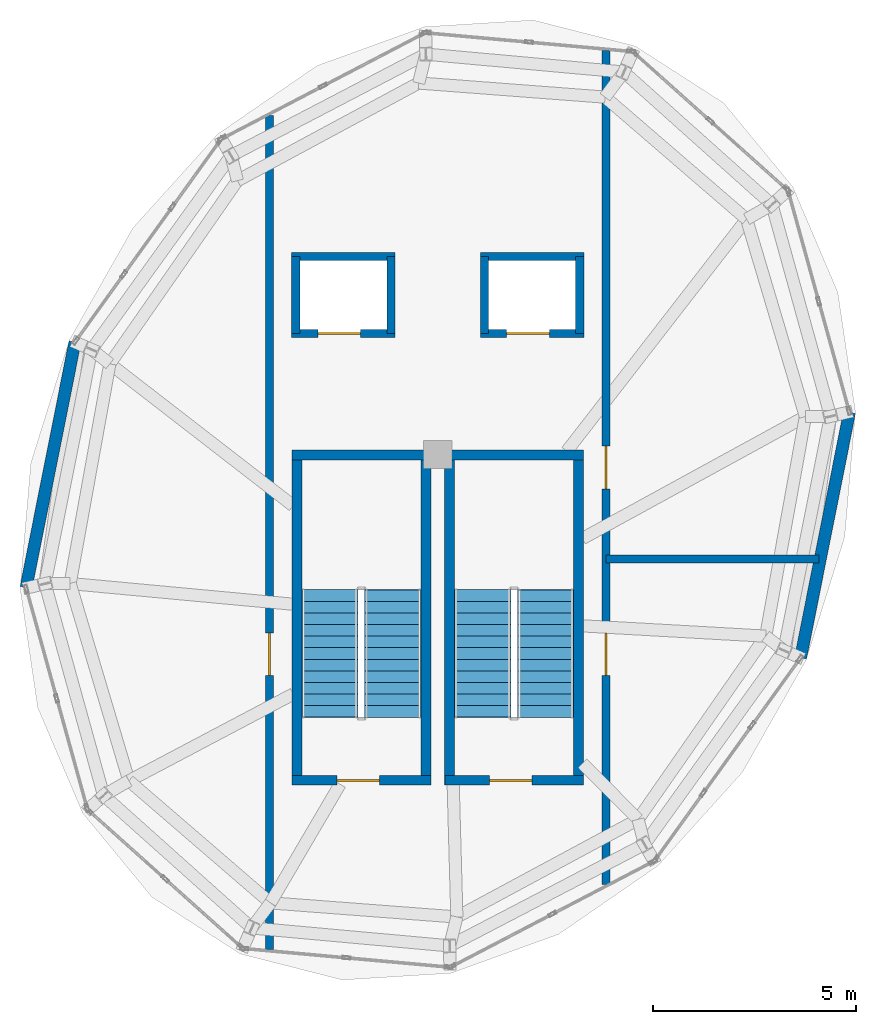
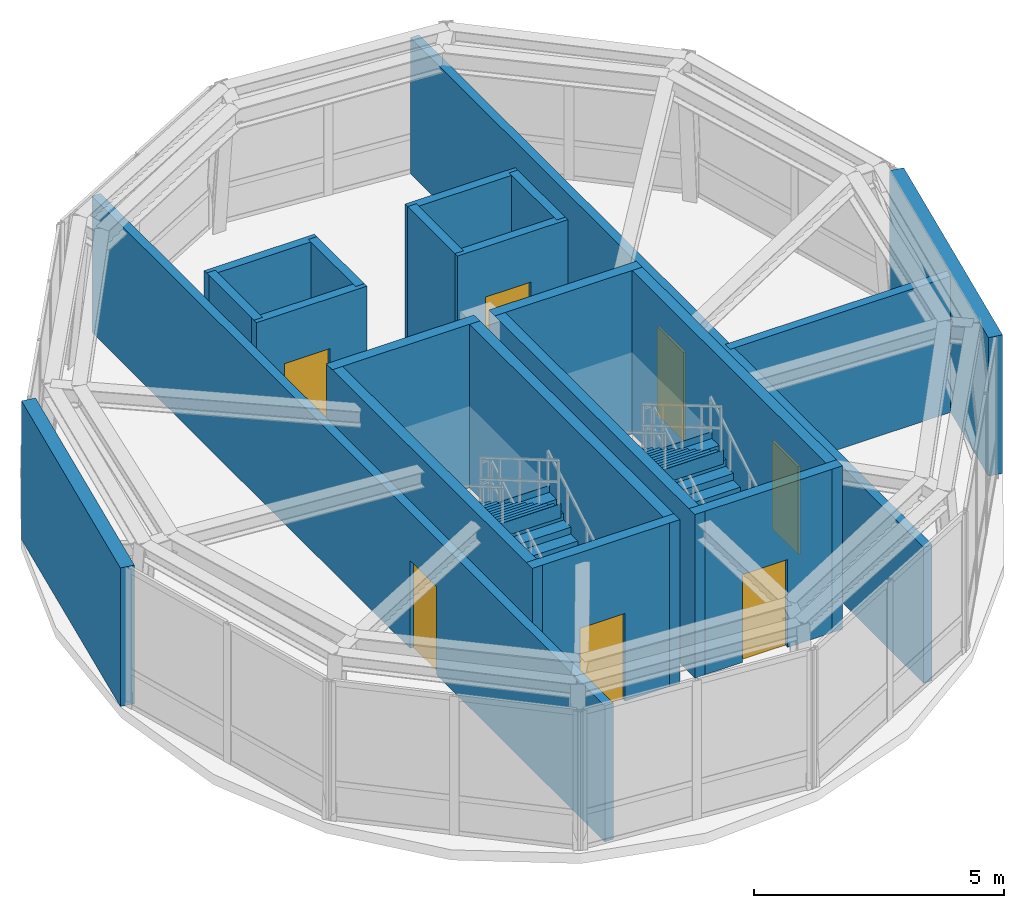
# One storey, part 8 of 9: 21 walls, 7 doors, 4 stair flights, 7 openings, 2 elements without a shape of their own.
"""IFC4 building model written with IfcOpenShell, lengths in metres."""

from ifc_helpers import new_model, si_unit, direction, frame, frame_2d, origin, place, context, subcontext, project, spatial, polyline, rectangle, outline, extrude, material, layer, layer_set, type_object, element, fill, aggregate, save


model = new_model("IFC4")

# Units and contexts
model_context = context("Model", 3, precision=1e-05, world=origin(), true_north=direction((0.0, 1.0)))
body_context = subcontext(model_context, "Body", "Model", "MODEL_VIEW")
ifc_project = project(units=[si_unit("LENGTHUNIT", "METRE"), si_unit("AREAUNIT", "SQUARE_METRE"), si_unit("VOLUMEUNIT", "CUBIC_METRE"), si_unit("PLANEANGLEUNIT", "RADIAN"), si_unit("MASSUNIT", "GRAM", prefix="KILO"), si_unit("THERMODYNAMICTEMPERATUREUNIT", "KELVIN"), si_unit("POWERUNIT", "WATT")], contexts=[model_context])

# Site, building, storey
site_placement = place(None, origin())
site = spatial("IfcSite", under=ifc_project, at=site_placement, CompositionType="ELEMENT")
building_placement = place(site_placement, origin())
building = spatial("IfcBuilding", under=site, at=building_placement, Name="Ocrelia Relay Tower", CompositionType="ELEMENT")
storey_placement = place(building_placement, frame((0.0, 0.0, 304.0)))
storey = spatial("IfcBuildingStorey", under=building, at=storey_placement, Name="L76", CompositionType="ELEMENT", Elevation=304.0)

# Wall, opening, door
ifc_material_1 = material(Name="Concrete C50/60", Category="concrete")
ifc_layer_1 = layer(ifc_material_1, 0.239990234375, Name="Concrete C50/60")
ifc_layer_set_1 = layer_set([ifc_layer_1], Name="Concrete C50/60")
wall_type_1 = type_object("IfcWallType", Name="CW-STAIR-240", PredefinedType="SHEAR", material=ifc_layer_set_1)
wall_1_placement = place(storey_placement, frame((30.412109375, 19.092041015625, 0.0), z_axis=(0.0, 0.0, 1.0), x_axis=(1.0, 0.0, 0.0)))
wall_1 = element("IfcWall", 1, at=wall_1_placement, inside=storey, type_object=wall_type_1, Name="L76 ST4 Structural Shaft S Wall", PredefinedType="SHEAR", context=body_context, shape_type="SweptSolid", body=[
    extrude(rectangle(XDim=3.415771484375, YDim=0.239990234375, at=frame_2d((1.7080078125, 0.0))), origin(), (0.0, 0.0, 1.0), 4.0),
])
opening_1_placement = place(wall_1_placement, frame((1.10009765625, 0.0, 0.0)))
opening_1 = element("IfcOpeningElement", 2, at=opening_1_placement, cuts=wall_1, Name="Opening D-FD90", PredefinedType="OPENING", context=body_context, shape_type="SweptSolid", body=[
    extrude(rectangle(XDim=1.050048828125, YDim=2.14990234375, at=frame_2d((0.52490234375, 1.074951171875))), frame((0.0, 0.1298828125, 0.0), z_axis=(0.0, -1.0, 0.0), x_axis=(1.0, 0.0, 0.0)), (0.0, 0.0, 1.0), 0.260009765625),
])
ifc_material_2 = material(Name="Steel S355 90-min fire door", Category="steel")
door_type_1 = type_object("IfcDoorType", Name="DR-STAIR-FD90-1050", OperationType="NOTDEFINED", PredefinedType="DOOR", material=ifc_material_2)
door_1_placement = place(opening_1_placement, origin())
door_1 = element("IfcDoor", 3, at=door_1_placement, inside=storey, type_object=door_type_1, Name="L76 Crown Stair ST4 Fire Door", OperationType="SINGLE_SWING_RIGHT", OverallHeight=2.14990234375, OverallWidth=1.050048828125, PredefinedType="DOOR", context=body_context, shape_type="SweptSolid", body=[
    extrude(rectangle(XDim=1.050048828125, YDim=2.14990234375, at=frame_2d((0.52490234375, 1.074951171875))), frame((0.0, 0.02490234375, 0.0), z_axis=(0.0, -1.0, 0.0), x_axis=(1.0, 0.0, 0.0)), (0.0, 0.0, 1.0), 0.050048828125),
])
fill(opening_1, door_1)

# Walls
wall_2_placement = place(storey_placement, frame((30.412109375, 27.10791015625, 0.0), z_axis=(0.0, 0.0, 1.0), x_axis=(1.0, 0.0, 0.0)))
element("IfcWall", 4, at=wall_2_placement, inside=storey, type_object=wall_type_1, Name="L76 ST4 Structural Shaft N Wall", PredefinedType="SHEAR", context=body_context, shape_type="SweptSolid", body=[
    extrude(rectangle(XDim=3.415771484375, YDim=0.239990234375, at=frame_2d((1.7080078125, 0.0))), origin(), (0.0, 0.0, 1.0), 4.0),
])
for number, where, z_axis, x_axis, name in (
    (5, (30.531982421875, 18.971923828125, 0.0), (0.0, 0.0, 1.0), (0.0, 1.0, 0.0), "L76 ST4 Structural Shaft W Wall"),
    (6, (33.7080078125, 18.971923828125, 0.0), (0.0, 0.0, 1.0), (0.0, 1.0, 0.0), "L76 ST4 Structural Shaft E Wall"),
):
    element("IfcWall", number, at=place(storey_placement, frame(where, z_axis=z_axis, x_axis=x_axis)), inside=storey, type_object=wall_type_1, Name=name, PredefinedType="SHEAR", context=body_context, shape_type="SweptSolid", body=[
        extrude(rectangle(XDim=8.256103515625, YDim=0.239990234375, at=frame_2d((4.1279296875, 0.0))), origin(), (0.0, 0.0, 1.0), 4.0),
    ])

# Wall, opening, door
wall_3_placement = place(storey_placement, frame((34.172119140625, 19.092041015625, 0.0), z_axis=(0.0, 0.0, 1.0), x_axis=(1.0, 0.0, 0.0)))
wall_3 = element("IfcWall", 7, at=wall_3_placement, inside=storey, type_object=wall_type_1, Name="L76 ST5 Structural Shaft S Wall", PredefinedType="SHEAR", context=body_context, shape_type="SweptSolid", body=[
    extrude(rectangle(XDim=3.415771484375, YDim=0.239990234375, at=frame_2d((1.7080078125, 0.0))), origin(), (0.0, 0.0, 1.0), 4.0),
])
opening_2_placement = place(wall_3_placement, frame((1.10009765625, 0.0, 0.0)))
opening_2 = element("IfcOpeningElement", 8, at=opening_2_placement, cuts=wall_3, Name="Opening D-FD90", PredefinedType="OPENING", context=body_context, shape_type="SweptSolid", body=[
    extrude(rectangle(XDim=1.050048828125, YDim=2.14990234375, at=frame_2d((0.52490234375, 1.074951171875))), frame((0.0, 0.1298828125, 0.0), z_axis=(0.0, -1.0, 0.0), x_axis=(1.0, 0.0, 0.0)), (0.0, 0.0, 1.0), 0.260009765625),
])
door_2_placement = place(opening_2_placement, origin())
door_2 = element("IfcDoor", 9, at=door_2_placement, inside=storey, type_object=door_type_1, Name="L76 Crown Stair ST5 Fire Door", OperationType="SINGLE_SWING_LEFT", OverallHeight=2.14990234375, OverallWidth=1.050048828125, PredefinedType="DOOR", context=body_context, shape_type="SweptSolid", body=[
    extrude(rectangle(XDim=1.050048828125, YDim=2.14990234375, at=frame_2d((0.52490234375, 1.074951171875))), frame((0.0, 0.02490234375, 0.0), z_axis=(0.0, -1.0, 0.0), x_axis=(1.0, 0.0, 0.0)), (0.0, 0.0, 1.0), 0.050048828125),
])
fill(opening_2, door_2)

# Walls
wall_4_placement = place(storey_placement, frame((34.172119140625, 27.10791015625, 0.0), z_axis=(0.0, 0.0, 1.0), x_axis=(1.0, 0.0, 0.0)))
element("IfcWall", 10, at=wall_4_placement, inside=storey, type_object=wall_type_1, Name="L76 ST5 Structural Shaft N Wall", PredefinedType="SHEAR", context=body_context, shape_type="SweptSolid", body=[
    extrude(rectangle(XDim=3.415771484375, YDim=0.239990234375, at=frame_2d((1.7080078125, 0.0))), origin(), (0.0, 0.0, 1.0), 4.0),
])
for number, where, z_axis, x_axis, name in (
    (11, (34.2919921875, 18.971923828125, 0.0), (0.0, 0.0, 1.0), (0.0, 1.0, 0.0), "L76 ST5 Structural Shaft W Wall"),
    (12, (37.468017578125, 18.971923828125, 0.0), (0.0, 0.0, 1.0), (0.0, 1.0, 0.0), "L76 ST5 Structural Shaft E Wall"),
):
    element("IfcWall", number, at=place(storey_placement, frame(where, z_axis=z_axis, x_axis=x_axis)), inside=storey, type_object=wall_type_1, Name=name, PredefinedType="SHEAR", context=body_context, shape_type="SweptSolid", body=[
        extrude(rectangle(XDim=8.256103515625, YDim=0.239990234375, at=frame_2d((4.1279296875, 0.0))), origin(), (0.0, 0.0, 1.0), 4.0),
    ])
ifc_material_3 = material(Name="Precast concrete C40/50 with oxide terracotta", Category="masonry")
ifc_layer_2 = layer(ifc_material_3, 0.300048828125, Name="Precast concrete C40/50 with oxide terracotta")
ifc_layer_set_2 = layer_set([ifc_layer_2], Name="Precast concrete C40/50 with oxide terracotta")
wall_type_2 = type_object("IfcWallType", Name="W-EXT-TERR-300", PredefinedType="SOLIDWALL", material=ifc_layer_set_2)
for number, where, z_axis, x_axis, name in (
    (13, (25.05859375, 29.8876953125, 0.0), (0.0, 0.0, 1.0), (-0.195392597273, -0.98072510569, 0.0), "L76 Crown Braced Terracotta Spine Wall 04"),
    (14, (42.94140625, 22.1123046875, 0.0), (0.0, 0.0, 1.0), (0.195392597273, 0.98072510569, 0.0), "L76 Crown Braced Terracotta Spine Wall 10"),
):
    element("IfcWall", number, at=place(storey_placement, frame(where, z_axis=z_axis, x_axis=x_axis)), inside=storey, type_object=wall_type_2, Name=name, PredefinedType="SOLIDWALL", context=body_context, shape_type="SweptSolid", body=[
        extrude(rectangle(XDim=6.1650390625, YDim=0.300048828125, at=frame_2d((3.08251953125, 0.0))), origin(), (0.0, 0.0, 1.0), 3.389892578125),
    ])

# Wall, opening, door
ifc_layer_3 = layer(ifc_material_1, 0.199951171875, Name="Concrete C50/60")
ifc_layer_set_3 = layer_set([ifc_layer_3], Name="Concrete C50/60")
wall_type_3 = type_object("IfcWallType", Name="W-SHAFT-EI120-200", PredefinedType="SOLIDWALL", material=ifc_layer_set_3)
wall_5_placement = place(storey_placement, frame((30.39990234375, 30.10009765625, 0.0), z_axis=(0.0, 0.0, 1.0), x_axis=(1.0, 0.0, 0.0)))
wall_5 = element("IfcWall", 15, at=wall_5_placement, inside=storey, type_object=wall_type_3, Name="L76 FFL1 South Wall", PredefinedType="SOLIDWALL", context=body_context, shape_type="SweptSolid", body=[
    extrude(rectangle(XDim=2.550048828125, YDim=0.199951171875, at=frame_2d((1.27490234375, 0.0))), origin(), (0.0, 0.0, 1.0), 3.330078125),
])
opening_3_placement = place(wall_5_placement, frame((0.64990234375, 0.0, 0.0)))
opening_3 = element("IfcOpeningElement", 16, at=opening_3_placement, cuts=wall_5, Name="Opening LD-FFL1", PredefinedType="OPENING", context=body_context, shape_type="SweptSolid", body=[
    extrude(rectangle(XDim=1.050048828125, YDim=2.10009765625, at=frame_2d((0.52490234375, 1.050048828125))), frame((0.0, 0.10986328125, 0.0), z_axis=(0.0, -1.0, 0.0), x_axis=(1.0, 0.0, 0.0)), (0.0, 0.0, 1.0), 0.219970703125),
])
ifc_material_4 = material(Name="Brushed stainless steel S355 lift landing door", Category="steel")
door_type_2 = type_object("IfcDoorType", Name="DR-LIFT-LAND-1050", OperationType="DOUBLE_DOOR_SLIDING", PredefinedType="USERDEFINED", material=ifc_material_4)
door_3_placement = place(opening_3_placement, origin())
door_3 = element("IfcDoor", 17, at=door_3_placement, inside=storey, type_object=door_type_2, Name="L76 FFL1 Sliding Landing Door", ObjectType="LANDING DOOR", OperationType="DOUBLE_DOOR_SLIDING", OverallHeight=2.10009765625, OverallWidth=1.050048828125, PredefinedType="USERDEFINED", context=body_context, shape_type="SweptSolid", body=[
    extrude(rectangle(XDim=1.050048828125, YDim=2.10009765625, at=frame_2d((0.52490234375, 1.050048828125))), frame((0.0, 0.02490234375, 0.0), z_axis=(0.0, -1.0, 0.0), x_axis=(1.0, 0.0, 0.0)), (0.0, 0.0, 1.0), 0.050048828125),
])
fill(opening_3, door_3)

# Walls
wall_6_placement = place(storey_placement, frame((30.39990234375, 32.0, 0.0), z_axis=(0.0, 0.0, 1.0), x_axis=(1.0, 0.0, 0.0)))
element("IfcWall", 18, at=wall_6_placement, inside=storey, type_object=wall_type_3, Name="L76 FFL1 N Wall", PredefinedType="SOLIDWALL", context=body_context, shape_type="SweptSolid", body=[
    extrude(rectangle(XDim=2.550048828125, YDim=0.199951171875, at=frame_2d((1.27490234375, 0.0))), origin(), (0.0, 0.0, 1.0), 3.330078125),
])
for number, where, z_axis, x_axis, name in (
    (19, (30.5, 30.10009765625, 0.0), (0.0, 0.0, 1.0), (0.0, 1.0, 0.0), "L76 FFL1 W Wall"),
    (20, (32.85009765625, 30.10009765625, 0.0), (0.0, 0.0, 1.0), (0.0, 1.0, 0.0), "L76 FFL1 E Wall"),
):
    element("IfcWall", number, at=place(storey_placement, frame(where, z_axis=z_axis, x_axis=x_axis)), inside=storey, type_object=wall_type_3, Name=name, PredefinedType="SOLIDWALL", context=body_context, shape_type="SweptSolid", body=[
        extrude(rectangle(XDim=1.89990234375, YDim=0.199951171875, at=frame_2d((0.949951171875, 0.0))), origin(), (0.0, 0.0, 1.0), 3.330078125),
    ])

# Wall, opening, door
wall_7_placement = place(storey_placement, frame((35.050048828125, 30.10009765625, 0.0), z_axis=(0.0, 0.0, 1.0), x_axis=(1.0, 0.0, 0.0)))
wall_7 = element("IfcWall", 21, at=wall_7_placement, inside=storey, type_object=wall_type_3, Name="L76 FFL2 South Wall", PredefinedType="SOLIDWALL", context=body_context, shape_type="SweptSolid", body=[
    extrude(rectangle(XDim=2.550048828125, YDim=0.199951171875, at=frame_2d((1.27490234375, 0.0))), origin(), (0.0, 0.0, 1.0), 3.330078125),
])
opening_4_placement = place(wall_7_placement, frame((0.64990234375, 0.0, 0.0)))
opening_4 = element("IfcOpeningElement", 22, at=opening_4_placement, cuts=wall_7, Name="Opening LD-FFL2", PredefinedType="OPENING", context=body_context, shape_type="SweptSolid", body=[
    extrude(rectangle(XDim=1.050048828125, YDim=2.10009765625, at=frame_2d((0.52490234375, 1.050048828125))), frame((0.0, 0.10986328125, 0.0), z_axis=(0.0, -1.0, 0.0), x_axis=(1.0, 0.0, 0.0)), (0.0, 0.0, 1.0), 0.219970703125),
])
door_4_placement = place(opening_4_placement, origin())
door_4 = element("IfcDoor", 23, at=door_4_placement, inside=storey, type_object=door_type_2, Name="L76 FFL2 Sliding Landing Door", ObjectType="LANDING DOOR", OperationType="DOUBLE_DOOR_SLIDING", OverallHeight=2.10009765625, OverallWidth=1.050048828125, PredefinedType="USERDEFINED", context=body_context, shape_type="SweptSolid", body=[
    extrude(rectangle(XDim=1.050048828125, YDim=2.10009765625, at=frame_2d((0.52490234375, 1.050048828125))), frame((0.0, 0.02490234375, 0.0), z_axis=(0.0, -1.0, 0.0), x_axis=(1.0, 0.0, 0.0)), (0.0, 0.0, 1.0), 0.050048828125),
])
fill(opening_4, door_4)

# Walls
wall_8_placement = place(storey_placement, frame((35.050048828125, 32.0, 0.0), z_axis=(0.0, 0.0, 1.0), x_axis=(1.0, 0.0, 0.0)))
element("IfcWall", 24, at=wall_8_placement, inside=storey, type_object=wall_type_3, Name="L76 FFL2 N Wall", PredefinedType="SOLIDWALL", context=body_context, shape_type="SweptSolid", body=[
    extrude(rectangle(XDim=2.550048828125, YDim=0.199951171875, at=frame_2d((1.27490234375, 0.0))), origin(), (0.0, 0.0, 1.0), 3.330078125),
])
for number, where, z_axis, x_axis, name in (
    (25, (35.14990234375, 30.10009765625, 0.0), (0.0, 0.0, 1.0), (0.0, 1.0, 0.0), "L76 FFL2 W Wall"),
    (26, (37.5, 30.10009765625, 0.0), (0.0, 0.0, 1.0), (0.0, 1.0, 0.0), "L76 FFL2 E Wall"),
):
    element("IfcWall", number, at=place(storey_placement, frame(where, z_axis=z_axis, x_axis=x_axis)), inside=storey, type_object=wall_type_3, Name=name, PredefinedType="SOLIDWALL", context=body_context, shape_type="SweptSolid", body=[
        extrude(rectangle(XDim=1.89990234375, YDim=0.199951171875, at=frame_2d((0.949951171875, 0.0))), origin(), (0.0, 0.0, 1.0), 3.330078125),
    ])

# Wall, opening, door
wall_9_placement = place(storey_placement, frame((29.85009765625, 14.918701171875, 0.0), z_axis=(0.0, 0.0, 1.0), x_axis=(0.0, 1.0, 0.0)))
wall_9 = element("IfcWall", 27, at=wall_9_placement, inside=storey, type_object=wall_type_3, Name="L76 Crown Lobby West Wall", PredefinedType="SOLIDWALL", context=body_context, shape_type="SweptSolid", body=[
    extrude(rectangle(XDim=20.56103515625, YDim=0.199951171875, at=frame_2d((10.280517578125, 0.0))), origin(), (0.0, 0.0, 1.0), 3.330078125),
])
opening_5_placement = place(wall_9_placement, frame((6.756103515625, 0.0, 0.0)))
opening_5 = element("IfcOpeningElement", 28, at=opening_5_placement, cuts=wall_9, Name="Opening D-FD90", PredefinedType="OPENING", context=body_context, shape_type="SweptSolid", body=[
    extrude(rectangle(XDim=1.050048828125, YDim=2.14990234375, at=frame_2d((0.52490234375, 1.074951171875))), frame((0.0, 0.10986328125, 0.0), z_axis=(0.0, -1.0, 0.0), x_axis=(1.0, 0.0, 0.0)), (0.0, 0.0, 1.0), 0.219970703125),
])
door_5_placement = place(opening_5_placement, origin())
door_5 = element("IfcDoor", 29, at=door_5_placement, inside=storey, type_object=door_type_1, Name="L76 West Chiller Plant Door", OperationType="SINGLE_SWING_RIGHT", OverallHeight=2.14990234375, OverallWidth=1.050048828125, PredefinedType="DOOR", context=body_context, shape_type="SweptSolid", body=[
    extrude(rectangle(XDim=1.050048828125, YDim=2.14990234375, at=frame_2d((0.52490234375, 1.074951171875))), frame((0.0, 0.02490234375, 0.0), z_axis=(0.0, -1.0, 0.0), x_axis=(1.0, 0.0, 0.0)), (0.0, 0.0, 1.0), 0.050048828125),
])
fill(opening_5, door_5)

# Wall, openings, doors
wall_10_placement = place(storey_placement, frame((38.14990234375, 16.520263671875, 0.0), z_axis=(0.0, 0.0, 1.0), x_axis=(0.0, 1.0, 0.0)))
wall_10 = element("IfcWall", 30, at=wall_10_placement, inside=storey, type_object=wall_type_3, Name="L76 Crown Lobby East Wall", PredefinedType="SOLIDWALL", context=body_context, shape_type="SweptSolid", body=[
    extrude(rectangle(XDim=20.56103515625, YDim=0.199951171875, at=frame_2d((10.280517578125, 0.0))), origin(), (0.0, 0.0, 1.0), 3.330078125),
])
opening_6_placement = place(wall_10_placement, frame((5.15478515625, 0.0, 0.0)))
opening_6 = element("IfcOpeningElement", 31, at=opening_6_placement, cuts=wall_10, Name="Opening D-FD90", PredefinedType="OPENING", context=body_context, shape_type="SweptSolid", body=[
    extrude(rectangle(XDim=1.050048828125, YDim=2.14990234375, at=frame_2d((0.52490234375, 1.074951171875))), frame((0.0, 0.10986328125, 0.0), z_axis=(0.0, -1.0, 0.0), x_axis=(1.0, 0.0, 0.0)), (0.0, 0.0, 1.0), 0.219970703125),
])
opening_7_placement = place(wall_10_placement, frame((9.7548828125, 0.0, 0.0)))
opening_7 = element("IfcOpeningElement", 32, at=opening_7_placement, cuts=wall_10, Name="Opening D-FD90", PredefinedType="OPENING", context=body_context, shape_type="SweptSolid", body=[
    extrude(rectangle(XDim=1.050048828125, YDim=2.14990234375, at=frame_2d((0.52490234375, 1.074951171875))), frame((0.0, 0.10986328125, 0.0), z_axis=(0.0, -1.0, 0.0), x_axis=(1.0, 0.0, 0.0)), (0.0, 0.0, 1.0), 0.219970703125),
])
door_6_placement = place(opening_6_placement, origin())
door_6 = element("IfcDoor", 33, at=door_6_placement, inside=storey, type_object=door_type_1, Name="L76 East Switchgear Plant Door", OperationType="SINGLE_SWING_LEFT", OverallHeight=2.14990234375, OverallWidth=1.050048828125, PredefinedType="DOOR", context=body_context, shape_type="SweptSolid", body=[
    extrude(rectangle(XDim=1.050048828125, YDim=2.14990234375, at=frame_2d((0.52490234375, 1.074951171875))), frame((0.0, 0.02490234375, 0.0), z_axis=(0.0, -1.0, 0.0), x_axis=(1.0, 0.0, 0.0)), (0.0, 0.0, 1.0), 0.050048828125),
])
fill(opening_6, door_6)
door_7_placement = place(opening_7_placement, origin())
door_7 = element("IfcDoor", 34, at=door_7_placement, inside=storey, type_object=door_type_1, Name="L76 Waveguide Pressurisation Plant Door", OperationType="SINGLE_SWING_RIGHT", OverallHeight=2.14990234375, OverallWidth=1.050048828125, PredefinedType="DOOR", context=body_context, shape_type="SweptSolid", body=[
    extrude(rectangle(XDim=1.050048828125, YDim=2.14990234375, at=frame_2d((0.52490234375, 1.074951171875))), frame((0.0, 0.02490234375, 0.0), z_axis=(0.0, -1.0, 0.0), x_axis=(1.0, 0.0, 0.0)), (0.0, 0.0, 1.0), 0.050048828125),
])
fill(opening_7, door_7)

# Wall
wall_11_placement = place(storey_placement, frame((38.14990234375, 24.550048828125, 0.0), z_axis=(0.0, 0.0, 1.0), x_axis=(1.0, 0.0, 0.0)))
element("IfcWall", 35, at=wall_11_placement, inside=storey, type_object=wall_type_3, Name="L76 East Waveguide Plant Partition", PredefinedType="SOLIDWALL", context=body_context, shape_type="SweptSolid", body=[
    extrude(rectangle(XDim=5.24755859375, YDim=0.199951171875, at=frame_2d((2.623779296875, 0.0))), origin(), (0.0, 0.0, 1.0), 3.330078125),
])

# Stair, stair flights
stair_type = type_object("IfcStairType", Name="ST-DL-1400-R167", PredefinedType="HALF_TURN_STAIR", material=ifc_material_1)
stair_1_placement = place(storey_placement, origin())
stair_1 = element("IfcStair", 36, at=stair_1_placement, inside=storey, type_object=stair_type, Name="L76 Crown North-West Stair ST4", PredefinedType="HALF_TURN_STAIR")
stair_flight_type = type_object("IfcStairFlightType", Name="STF-DL-1400-R167", PredefinedType="STRAIGHT", material=ifc_material_1)
stair_flight_1_placement = place(storey_placement, frame((32.89990234375, 20.64990234375, 0.0), z_axis=(0.0, 0.0, 1.0), x_axis=(0.0, 1.0, 0.0)))
stair_flight_1 = element("IfcStairFlight", 37, at=stair_flight_1_placement, type_object=stair_flight_type, Name="ST4 flight 1", NumberOfRisers=12, NumberOfTreads=11, PredefinedType="STRAIGHT", RiserHeight=0.166666667, TreadLength=0.285, context=body_context, shape_type="SweptSolid", body=[
    extrude(outline(polyline([(-0.008056640625, 0.0), (-0.008056640625, 0.166748046875), (0.0, 0.166748046875), (0.284912109375, 0.166748046875), (0.284912109375, 0.333251953125), (0.570068359375, 0.333251953125), (0.570068359375, 0.5), (0.85498046875, 0.5), (0.85498046875, 0.666748046875), (1.139892578125, 0.666748046875), (1.139892578125, 0.833251953125), (1.425048828125, 0.833251953125), (1.425048828125, 1.0), (1.7099609375, 1.0), (1.7099609375, 1.166748046875), (1.9951171875, 1.166748046875), (1.9951171875, 1.333251953125), (2.280029296875, 1.333251953125), (2.280029296875, 1.5), (2.56494140625, 1.5), (2.56494140625, 1.666748046875), (2.85009765625, 1.666748046875), (2.85009765625, 1.833251953125), (3.135009765625, 1.833251953125), (3.135009765625, 2.0), (3.14306640625, 2.0), (3.14306640625, 1.65966796875), (0.296875, 0.0), (-0.008056640625, 0.0)])), frame((0.0, 0.699951171875, 0.0), z_axis=(0.0, -1.0, 0.0), x_axis=(1.0, 0.0, 0.0)), (0.0, 0.0, 1.0), 1.39990234375),
])
stair_flight_2_placement = place(storey_placement, frame((31.340087890625, 23.784912109375, 2.0), z_axis=(0.0, 0.0, 1.0), x_axis=(0.0, -1.0, 0.0)))
stair_flight_2 = element("IfcStairFlight", 38, at=stair_flight_2_placement, type_object=stair_flight_type, Name="ST4 flight 2", NumberOfRisers=12, NumberOfTreads=11, PredefinedType="STRAIGHT", RiserHeight=0.166666667, TreadLength=0.285, context=body_context, shape_type="SweptSolid", body=[
    extrude(outline(polyline([(-0.008056640625, 0.0), (-0.008056640625, 0.166748046875), (0.0, 0.166748046875), (0.284912109375, 0.166748046875), (0.284912109375, 0.333251953125), (0.570068359375, 0.333251953125), (0.570068359375, 0.5), (0.85498046875, 0.5), (0.85498046875, 0.666748046875), (1.139892578125, 0.666748046875), (1.139892578125, 0.833251953125), (1.425048828125, 0.833251953125), (1.425048828125, 1.0), (1.7099609375, 1.0), (1.7099609375, 1.166748046875), (1.9951171875, 1.166748046875), (1.9951171875, 1.333251953125), (2.280029296875, 1.333251953125), (2.280029296875, 1.5), (2.56494140625, 1.5), (2.56494140625, 1.666748046875), (2.85009765625, 1.666748046875), (2.85009765625, 1.833251953125), (3.135009765625, 1.833251953125), (3.135009765625, 2.0), (3.14306640625, 2.0), (3.14306640625, 1.65966796875), (0.296875, 0.0), (-0.008056640625, 0.0)])), frame((0.0, 0.699951171875, 0.0), z_axis=(0.0, -1.0, 0.0), x_axis=(1.0, 0.0, 0.0)), (0.0, 0.0, 1.0), 1.39990234375),
])
aggregate(stair_1, [stair_flight_1, stair_flight_2])

stair_2_placement = place(storey_placement, origin())
stair_2 = element("IfcStair", 39, at=stair_2_placement, inside=storey, type_object=stair_type, Name="L76 Crown North-East Stair ST5", PredefinedType="HALF_TURN_STAIR")
stair_flight_3_placement = place(storey_placement, frame((36.659912109375, 20.64990234375, 0.0), z_axis=(0.0, 0.0, 1.0), x_axis=(0.0, 1.0, 0.0)))
stair_flight_3 = element("IfcStairFlight", 40, at=stair_flight_3_placement, type_object=stair_flight_type, Name="ST5 flight 1", NumberOfRisers=12, NumberOfTreads=11, PredefinedType="STRAIGHT", RiserHeight=0.166666667, TreadLength=0.285, context=body_context, shape_type="SweptSolid", body=[
    extrude(outline(polyline([(-0.008056640625, 0.0), (-0.008056640625, 0.166748046875), (0.0, 0.166748046875), (0.284912109375, 0.166748046875), (0.284912109375, 0.333251953125), (0.570068359375, 0.333251953125), (0.570068359375, 0.5), (0.85498046875, 0.5), (0.85498046875, 0.666748046875), (1.139892578125, 0.666748046875), (1.139892578125, 0.833251953125), (1.425048828125, 0.833251953125), (1.425048828125, 1.0), (1.7099609375, 1.0), (1.7099609375, 1.166748046875), (1.9951171875, 1.166748046875), (1.9951171875, 1.333251953125), (2.280029296875, 1.333251953125), (2.280029296875, 1.5), (2.56494140625, 1.5), (2.56494140625, 1.666748046875), (2.85009765625, 1.666748046875), (2.85009765625, 1.833251953125), (3.135009765625, 1.833251953125), (3.135009765625, 2.0), (3.14306640625, 2.0), (3.14306640625, 1.65966796875), (0.296875, 0.0), (-0.008056640625, 0.0)])), frame((0.0, 0.699951171875, 0.0), z_axis=(0.0, -1.0, 0.0), x_axis=(1.0, 0.0, 0.0)), (0.0, 0.0, 1.0), 1.39990234375),
])
stair_flight_4_placement = place(storey_placement, frame((35.10009765625, 23.784912109375, 2.0), z_axis=(0.0, 0.0, 1.0), x_axis=(0.0, -1.0, 0.0)))
stair_flight_4 = element("IfcStairFlight", 41, at=stair_flight_4_placement, type_object=stair_flight_type, Name="ST5 flight 2", NumberOfRisers=12, NumberOfTreads=11, PredefinedType="STRAIGHT", RiserHeight=0.166666667, TreadLength=0.285, context=body_context, shape_type="SweptSolid", body=[
    extrude(outline(polyline([(-0.008056640625, 0.0), (-0.008056640625, 0.166748046875), (0.0, 0.166748046875), (0.284912109375, 0.166748046875), (0.284912109375, 0.333251953125), (0.570068359375, 0.333251953125), (0.570068359375, 0.5), (0.85498046875, 0.5), (0.85498046875, 0.666748046875), (1.139892578125, 0.666748046875), (1.139892578125, 0.833251953125), (1.425048828125, 0.833251953125), (1.425048828125, 1.0), (1.7099609375, 1.0), (1.7099609375, 1.166748046875), (1.9951171875, 1.166748046875), (1.9951171875, 1.333251953125), (2.280029296875, 1.333251953125), (2.280029296875, 1.5), (2.56494140625, 1.5), (2.56494140625, 1.666748046875), (2.85009765625, 1.666748046875), (2.85009765625, 1.833251953125), (3.135009765625, 1.833251953125), (3.135009765625, 2.0), (3.14306640625, 2.0), (3.14306640625, 1.65966796875), (0.296875, 0.0), (-0.008056640625, 0.0)])), frame((0.0, 0.699951171875, 0.0), z_axis=(0.0, -1.0, 0.0), x_axis=(1.0, 0.0, 0.0)), (0.0, 0.0, 1.0), 1.39990234375),
])
aggregate(stair_2, [stair_flight_3, stair_flight_4])

save(model, "model.ifc")
